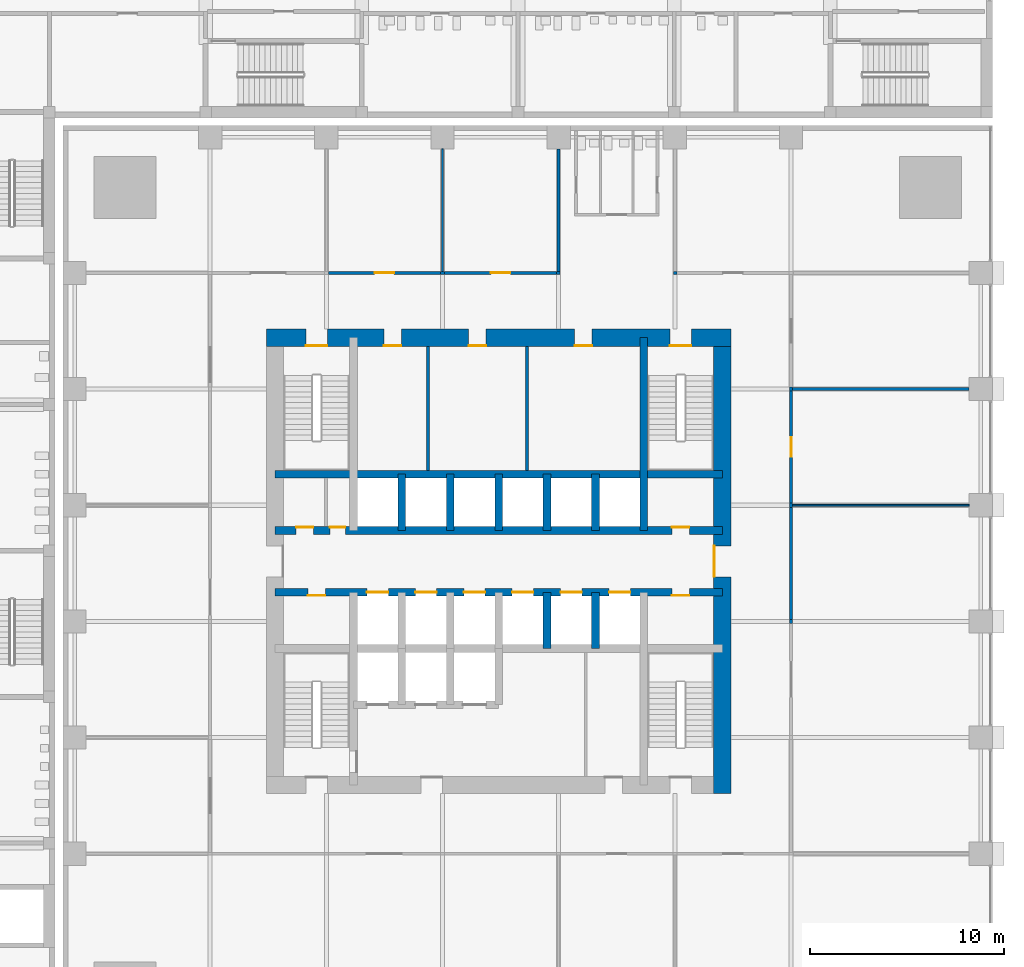
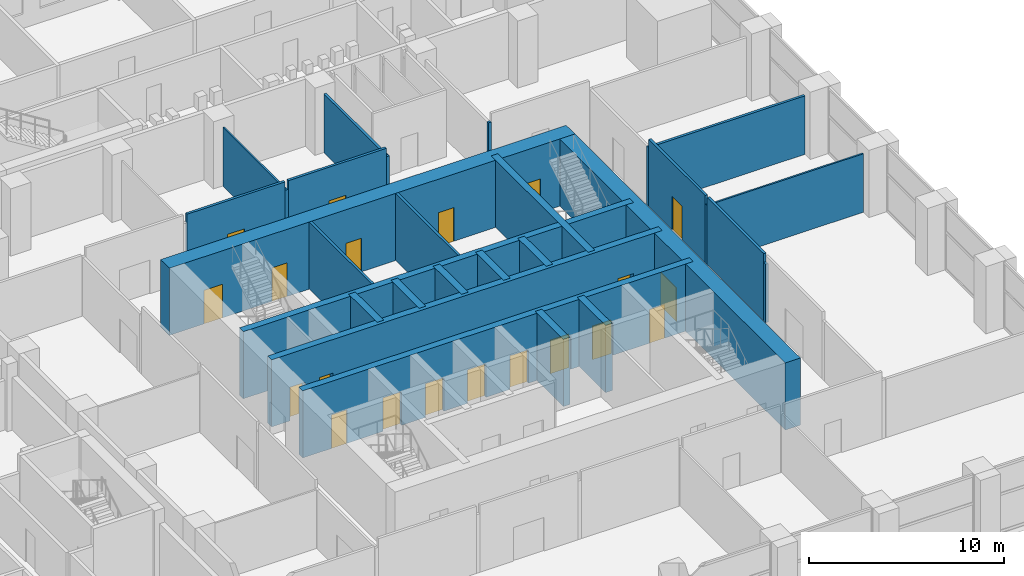
# One storey, part 14 of 25: 29 walls, 20 doors, 20 openings.
"""IFC4 building model written with IfcOpenShell, lengths in metres."""

from ifc_helpers import new_model, si_unit, direction, frame, frame_2d, origin, place, context, subcontext, project, spatial, rectangle, extrude, material, layer, layer_set, type_object, element, fill, save


model = new_model("IFC4")

# Units and contexts
model_context = context("Model", 3, precision=1e-05, world=origin(), true_north=direction((0.0, 1.0)))
body_context = subcontext(model_context, "Body", "Model", "MODEL_VIEW")
ifc_project = project(units=[si_unit("LENGTHUNIT", "METRE"), si_unit("AREAUNIT", "SQUARE_METRE"), si_unit("VOLUMEUNIT", "CUBIC_METRE"), si_unit("PLANEANGLEUNIT", "RADIAN"), si_unit("MASSUNIT", "GRAM", prefix="KILO")], contexts=[model_context])

# Site, building, storey
site_placement = place(None, origin())
site = spatial("IfcSite", under=ifc_project, at=site_placement, CompositionType="ELEMENT")
building_placement = place(site_placement, origin())
building = spatial("IfcBuilding", under=site, at=building_placement, Name="Amberfall Residences", CompositionType="ELEMENT")
storey_placement = place(building_placement, frame((0.0, 0.0, 14.5)))
storey = spatial("IfcBuildingStorey", under=building, at=storey_placement, Name="L03", CompositionType="ELEMENT", Elevation=14.5)

# Wall, openings, doors
ifc_material_1 = material(Name="Concrete C80", Category="concrete")
ifc_layer_1 = layer(ifc_material_1, 0.39990234375)
ifc_layer_set_1 = layer_set([ifc_layer_1], Name="Core wall 400 C80")
wall_type_1 = type_object("IfcWallType", Name="Core wall 400 C80", PredefinedType="SHEAR", material=ifc_layer_set_1)
wall_1_placement = place(storey_placement, frame((62.949951171875, 43.89990234375, 0.0), z_axis=(0.0, 0.0, 1.0), x_axis=(1.0, 0.0, 0.0)))
wall_1 = element("IfcWall", 1, at=wall_1_placement, inside=storey, type_object=wall_type_1, Name="Core wall RW2 L03 H104", PredefinedType="SHEAR", context=body_context, shape_type="SweptSolid", body=[
    extrude(rectangle(XDim=23.10009765625, YDim=0.39990234375, at=frame_2d((11.550048828125, 0.0))), origin(), (0.0, 0.0, 1.0), 4.199951171875),
])
opening_1_placement = place(wall_1_placement, frame((1.699951171875, 0.0, 0.0)))
opening_1 = element("IfcOpeningElement", 2, at=opening_1_placement, cuts=wall_1, Name="Opening RD1", PredefinedType="OPENING", context=body_context, shape_type="SweptSolid", body=[
    extrude(rectangle(XDim=0.89990234375, YDim=2.10009765625, at=frame_2d((0.449951171875, 1.050048828125))), frame((0.0, 0.2099609375, 0.0), z_axis=(0.0, -1.0, 0.0), x_axis=(1.0, 0.0, 0.0)), (0.0, 0.0, 1.0), 0.419921875),
])
opening_2_placement = place(wall_1_placement, frame((20.5, 0.0, 0.0)))
opening_2 = element("IfcOpeningElement", 3, at=opening_2_placement, cuts=wall_1, Name="Opening RD1", PredefinedType="OPENING", context=body_context, shape_type="SweptSolid", body=[
    extrude(rectangle(XDim=0.89990234375, YDim=2.10009765625, at=frame_2d((0.449951171875, 1.050048828125))), frame((0.0, 0.2099609375, 0.0), z_axis=(0.0, -1.0, 0.0), x_axis=(1.0, 0.0, 0.0)), (0.0, 0.0, 1.0), 0.419921875),
])
opening_3_placement = place(wall_1_placement, frame((4.75, 0.0, 0.0)))
opening_3 = element("IfcOpeningElement", 4, at=opening_3_placement, cuts=wall_1, Name="Opening LD1", PredefinedType="OPENING", context=body_context, shape_type="SweptSolid", body=[
    extrude(rectangle(XDim=1.10009765625, YDim=2.10009765625, at=frame_2d((0.550048828125, 1.050048828125))), frame((0.0, 0.2099609375, 0.0), z_axis=(0.0, -1.0, 0.0), x_axis=(1.0, 0.0, 0.0)), (0.0, 0.0, 1.0), 0.419921875),
])
opening_4_placement = place(wall_1_placement, frame((7.25, 0.0, 0.0)))
opening_4 = element("IfcOpeningElement", 5, at=opening_4_placement, cuts=wall_1, Name="Opening LD1", PredefinedType="OPENING", context=body_context, shape_type="SweptSolid", body=[
    extrude(rectangle(XDim=1.10009765625, YDim=2.10009765625, at=frame_2d((0.550048828125, 1.050048828125))), frame((0.0, 0.2099609375, 0.0), z_axis=(0.0, -1.0, 0.0), x_axis=(1.0, 0.0, 0.0)), (0.0, 0.0, 1.0), 0.419921875),
])
opening_5_placement = place(wall_1_placement, frame((9.75, 0.0, 0.0)))
opening_5 = element("IfcOpeningElement", 6, at=opening_5_placement, cuts=wall_1, Name="Opening LD1", PredefinedType="OPENING", context=body_context, shape_type="SweptSolid", body=[
    extrude(rectangle(XDim=1.10009765625, YDim=2.10009765625, at=frame_2d((0.550048828125, 1.050048828125))), frame((0.0, 0.2099609375, 0.0), z_axis=(0.0, -1.0, 0.0), x_axis=(1.0, 0.0, 0.0)), (0.0, 0.0, 1.0), 0.419921875),
])
opening_6_placement = place(wall_1_placement, frame((12.25, 0.0, 0.0)))
opening_6 = element("IfcOpeningElement", 7, at=opening_6_placement, cuts=wall_1, Name="Opening LD1", PredefinedType="OPENING", context=body_context, shape_type="SweptSolid", body=[
    extrude(rectangle(XDim=1.10009765625, YDim=2.10009765625, at=frame_2d((0.550048828125, 1.050048828125))), frame((0.0, 0.2099609375, 0.0), z_axis=(0.0, -1.0, 0.0), x_axis=(1.0, 0.0, 0.0)), (0.0, 0.0, 1.0), 0.419921875),
])
opening_7_placement = place(wall_1_placement, frame((14.75, 0.0, 0.0)))
opening_7 = element("IfcOpeningElement", 8, at=opening_7_placement, cuts=wall_1, Name="Opening LD1", PredefinedType="OPENING", context=body_context, shape_type="SweptSolid", body=[
    extrude(rectangle(XDim=1.10009765625, YDim=2.10009765625, at=frame_2d((0.550048828125, 1.050048828125))), frame((0.0, 0.2099609375, 0.0), z_axis=(0.0, -1.0, 0.0), x_axis=(1.0, 0.0, 0.0)), (0.0, 0.0, 1.0), 0.419921875),
])
opening_8_placement = place(wall_1_placement, frame((17.25, 0.0, 0.0)))
opening_8 = element("IfcOpeningElement", 9, at=opening_8_placement, cuts=wall_1, Name="Opening LD1", PredefinedType="OPENING", context=body_context, shape_type="SweptSolid", body=[
    extrude(rectangle(XDim=1.10009765625, YDim=2.10009765625, at=frame_2d((0.550048828125, 1.050048828125))), frame((0.0, 0.2099609375, 0.0), z_axis=(0.0, -1.0, 0.0), x_axis=(1.0, 0.0, 0.0)), (0.0, 0.0, 1.0), 0.419921875),
])
ifc_material_2 = material(Name="Steel fire door set", Category="steel")
door_type_1 = type_object("IfcDoorType", Name="Lift landing door 1100 x 2100", OperationType="DOUBLE_DOOR_SLIDING", PredefinedType="DOOR", material=ifc_material_2)
door_1_placement = place(opening_3_placement, origin())
door_1 = element("IfcDoor", 10, at=door_1_placement, inside=storey, type_object=door_type_1, Name="Landing door LP1 L03", OperationType="DOUBLE_DOOR_SLIDING", OverallHeight=2.10009765625, OverallWidth=1.10009765625, PredefinedType="DOOR", context=body_context, shape_type="SweptSolid", body=[
    extrude(rectangle(XDim=1.10009765625, YDim=2.10009765625, at=frame_2d((0.550048828125, 1.050048828125))), frame((0.0, 0.02490234375, 0.0), z_axis=(0.0, -1.0, 0.0), x_axis=(1.0, 0.0, 0.0)), (0.0, 0.0, 1.0), 0.050048828125),
])
fill(opening_3, door_1)
door_2_placement = place(opening_4_placement, origin())
door_2 = element("IfcDoor", 11, at=door_2_placement, inside=storey, type_object=door_type_1, Name="Landing door LP2 L03", OperationType="DOUBLE_DOOR_SLIDING", OverallHeight=2.10009765625, OverallWidth=1.10009765625, PredefinedType="DOOR", context=body_context, shape_type="SweptSolid", body=[
    extrude(rectangle(XDim=1.10009765625, YDim=2.10009765625, at=frame_2d((0.550048828125, 1.050048828125))), frame((0.0, 0.02490234375, 0.0), z_axis=(0.0, -1.0, 0.0), x_axis=(1.0, 0.0, 0.0)), (0.0, 0.0, 1.0), 0.050048828125),
])
fill(opening_4, door_2)
door_3_placement = place(opening_5_placement, origin())
door_3 = element("IfcDoor", 12, at=door_3_placement, inside=storey, type_object=door_type_1, Name="Landing door LP3 L03", OperationType="DOUBLE_DOOR_SLIDING", OverallHeight=2.10009765625, OverallWidth=1.10009765625, PredefinedType="DOOR", context=body_context, shape_type="SweptSolid", body=[
    extrude(rectangle(XDim=1.10009765625, YDim=2.10009765625, at=frame_2d((0.550048828125, 1.050048828125))), frame((0.0, 0.02490234375, 0.0), z_axis=(0.0, -1.0, 0.0), x_axis=(1.0, 0.0, 0.0)), (0.0, 0.0, 1.0), 0.050048828125),
])
fill(opening_5, door_3)
door_4_placement = place(opening_6_placement, origin())
door_4 = element("IfcDoor", 13, at=door_4_placement, inside=storey, type_object=door_type_1, Name="Landing door LP4 L03", OperationType="DOUBLE_DOOR_SLIDING", OverallHeight=2.10009765625, OverallWidth=1.10009765625, PredefinedType="DOOR", context=body_context, shape_type="SweptSolid", body=[
    extrude(rectangle(XDim=1.10009765625, YDim=2.10009765625, at=frame_2d((0.550048828125, 1.050048828125))), frame((0.0, 0.02490234375, 0.0), z_axis=(0.0, -1.0, 0.0), x_axis=(1.0, 0.0, 0.0)), (0.0, 0.0, 1.0), 0.050048828125),
])
fill(opening_6, door_4)
door_5_placement = place(opening_7_placement, origin())
door_5 = element("IfcDoor", 14, at=door_5_placement, inside=storey, type_object=door_type_1, Name="Landing door LP5 L03", OperationType="DOUBLE_DOOR_SLIDING", OverallHeight=2.10009765625, OverallWidth=1.10009765625, PredefinedType="DOOR", context=body_context, shape_type="SweptSolid", body=[
    extrude(rectangle(XDim=1.10009765625, YDim=2.10009765625, at=frame_2d((0.550048828125, 1.050048828125))), frame((0.0, 0.02490234375, 0.0), z_axis=(0.0, -1.0, 0.0), x_axis=(1.0, 0.0, 0.0)), (0.0, 0.0, 1.0), 0.050048828125),
])
fill(opening_7, door_5)
door_6_placement = place(opening_8_placement, origin())
door_6 = element("IfcDoor", 15, at=door_6_placement, inside=storey, type_object=door_type_1, Name="Landing door LP6 L03", OperationType="DOUBLE_DOOR_SLIDING", OverallHeight=2.10009765625, OverallWidth=1.10009765625, PredefinedType="DOOR", context=body_context, shape_type="SweptSolid", body=[
    extrude(rectangle(XDim=1.10009765625, YDim=2.10009765625, at=frame_2d((0.550048828125, 1.050048828125))), frame((0.0, 0.02490234375, 0.0), z_axis=(0.0, -1.0, 0.0), x_axis=(1.0, 0.0, 0.0)), (0.0, 0.0, 1.0), 0.050048828125),
])
fill(opening_8, door_6)
door_type_2 = type_object("IfcDoorType", Name="Service room door 900 x 2100", OperationType="SINGLE_SWING_LEFT", PredefinedType="DOOR", material=ifc_material_2)
door_7_placement = place(opening_1_placement, origin())
door_7 = element("IfcDoor", 16, at=door_7_placement, inside=storey, type_object=door_type_2, Name="RD1 L03", OperationType="SINGLE_SWING_LEFT", OverallHeight=2.10009765625, OverallWidth=0.89990234375, PredefinedType="DOOR", context=body_context, shape_type="SweptSolid", body=[
    extrude(rectangle(XDim=0.89990234375, YDim=2.10009765625, at=frame_2d((0.449951171875, 1.050048828125))), frame((0.0, -0.1376953125, 0.0), z_axis=(0.0, -1.0, 0.0), x_axis=(1.0, 0.0, 0.0)), (0.0, 0.0, 1.0), 0.050048828125),
])
fill(opening_1, door_7)
door_8_placement = place(opening_2_placement, origin())
door_8 = element("IfcDoor", 17, at=door_8_placement, inside=storey, type_object=door_type_2, Name="RD1 L03", OperationType="SINGLE_SWING_LEFT", OverallHeight=2.10009765625, OverallWidth=0.89990234375, PredefinedType="DOOR", context=body_context, shape_type="SweptSolid", body=[
    extrude(rectangle(XDim=0.89990234375, YDim=2.10009765625, at=frame_2d((0.449951171875, 1.050048828125))), frame((0.0, -0.1376953125, 0.0), z_axis=(0.0, -1.0, 0.0), x_axis=(1.0, 0.0, 0.0)), (0.0, 0.0, 1.0), 0.050048828125),
])
fill(opening_2, door_8)

wall_2_placement = place(storey_placement, frame((62.949951171875, 47.10009765625, 0.0), z_axis=(0.0, 0.0, 1.0), x_axis=(1.0, 0.0, 0.0)))
wall_2 = element("IfcWall", 18, at=wall_2_placement, inside=storey, type_object=wall_type_1, Name="Core wall RW2 L03 H136", PredefinedType="SHEAR", context=body_context, shape_type="SweptSolid", body=[
    extrude(rectangle(XDim=23.10009765625, YDim=0.39990234375, at=frame_2d((11.550048828125, 0.0))), origin(), (0.0, 0.0, 1.0), 4.199951171875),
])
opening_9_placement = place(wall_2_placement, frame((1.087890625, 0.0, 0.0)))
opening_9 = element("IfcOpeningElement", 19, at=opening_9_placement, cuts=wall_2, Name="Opening RD1", PredefinedType="OPENING", context=body_context, shape_type="SweptSolid", body=[
    extrude(rectangle(XDim=0.89990234375, YDim=2.10009765625, at=frame_2d((0.449951171875, 1.050048828125))), frame((0.0, 0.2099609375, 0.0), z_axis=(0.0, -1.0, 0.0), x_axis=(1.0, 0.0, 0.0)), (0.0, 0.0, 1.0), 0.419921875),
])
opening_10_placement = place(wall_2_placement, frame((2.837890625, 0.0, 0.0)))
opening_10 = element("IfcOpeningElement", 20, at=opening_10_placement, cuts=wall_2, Name="Opening RD2", PredefinedType="OPENING", context=body_context, shape_type="SweptSolid", body=[
    extrude(rectangle(XDim=0.800048828125, YDim=2.10009765625, at=frame_2d((0.39990234375, 1.050048828125))), frame((0.0, 0.2099609375, 0.0), z_axis=(0.0, -1.0, 0.0), x_axis=(1.0, 0.0, 0.0)), (0.0, 0.0, 1.0), 0.419921875),
])
opening_11_placement = place(wall_2_placement, frame((20.5, 0.0, 0.0)))
opening_11 = element("IfcOpeningElement", 21, at=opening_11_placement, cuts=wall_2, Name="Opening RD1", PredefinedType="OPENING", context=body_context, shape_type="SweptSolid", body=[
    extrude(rectangle(XDim=0.89990234375, YDim=2.10009765625, at=frame_2d((0.449951171875, 1.050048828125))), frame((0.0, 0.2099609375, 0.0), z_axis=(0.0, -1.0, 0.0), x_axis=(1.0, 0.0, 0.0)), (0.0, 0.0, 1.0), 0.419921875),
])
door_type_3 = type_object("IfcDoorType", Name="Service room door 800 x 2100", OperationType="SINGLE_SWING_LEFT", PredefinedType="DOOR", material=ifc_material_2)
door_9_placement = place(opening_10_placement, origin())
door_9 = element("IfcDoor", 22, at=door_9_placement, inside=storey, type_object=door_type_3, Name="RD2 L03", OperationType="SINGLE_SWING_RIGHT", OverallHeight=2.10009765625, OverallWidth=0.800048828125, PredefinedType="DOOR", context=body_context, shape_type="SweptSolid", body=[
    extrude(rectangle(XDim=0.800048828125, YDim=2.10009765625, at=frame_2d((0.39990234375, 1.050048828125))), frame((0.0, 0.1875, 0.0), z_axis=(0.0, -1.0, 0.0), x_axis=(1.0, 0.0, 0.0)), (0.0, 0.0, 1.0), 0.050048828125),
])
fill(opening_10, door_9)
door_10_placement = place(opening_9_placement, origin())
door_10 = element("IfcDoor", 23, at=door_10_placement, inside=storey, type_object=door_type_2, Name="RD1 L03", OperationType="SINGLE_SWING_LEFT", OverallHeight=2.10009765625, OverallWidth=0.89990234375, PredefinedType="DOOR", context=body_context, shape_type="SweptSolid", body=[
    extrude(rectangle(XDim=0.89990234375, YDim=2.10009765625, at=frame_2d((0.449951171875, 1.050048828125))), frame((0.0, 0.1875, 0.0), z_axis=(0.0, -1.0, 0.0), x_axis=(1.0, 0.0, 0.0)), (0.0, 0.0, 1.0), 0.050048828125),
])
fill(opening_9, door_10)
door_11_placement = place(opening_11_placement, origin())
door_11 = element("IfcDoor", 24, at=door_11_placement, inside=storey, type_object=door_type_2, Name="RD1 L03", OperationType="SINGLE_SWING_LEFT", OverallHeight=2.10009765625, OverallWidth=0.89990234375, PredefinedType="DOOR", context=body_context, shape_type="SweptSolid", body=[
    extrude(rectangle(XDim=0.89990234375, YDim=2.10009765625, at=frame_2d((0.449951171875, 1.050048828125))), frame((0.0, 0.1875, 0.0), z_axis=(0.0, -1.0, 0.0), x_axis=(1.0, 0.0, 0.0)), (0.0, 0.0, 1.0), 0.050048828125),
])
fill(opening_11, door_11)

# Walls
wall_3_placement = place(storey_placement, frame((62.949951171875, 50.0, 0.0), z_axis=(0.0, 0.0, 1.0), x_axis=(1.0, 0.0, 0.0)))
element("IfcWall", 25, at=wall_3_placement, inside=storey, type_object=wall_type_1, Name="Core wall RW2 L03 H165", PredefinedType="SHEAR", context=body_context, shape_type="SweptSolid", body=[
    extrude(rectangle(XDim=23.10009765625, YDim=0.39990234375, at=frame_2d((11.550048828125, 0.0))), origin(), (0.0, 0.0, 1.0), 4.199951171875),
])
wall_4_placement = place(storey_placement, frame((82.0, 47.10009765625, 0.0), z_axis=(0.0, 0.0, 1.0), x_axis=(0.0, 1.0, 0.0)))
element("IfcWall", 26, at=wall_4_placement, inside=storey, type_object=wall_type_1, Name="Core wall RW2 L03 V195N", PredefinedType="SHEAR", context=body_context, shape_type="SweptSolid", body=[
    extrude(rectangle(XDim=9.949951171875, YDim=0.39990234375, at=frame_2d((4.97509765625, 0.0))), origin(), (0.0, 0.0, 1.0), 4.199951171875),
])
for number, where, z_axis, x_axis, name in (
    (27, (69.5, 47.10009765625, 0.0), (0.0, 0.0, 1.0), (0.0, 1.0, 0.0), "Core wall RW2 L03 HPD1"),
    (28, (72.0, 47.10009765625, 0.0), (0.0, 0.0, 1.0), (0.0, 1.0, 0.0), "Core wall RW2 L03 HPD2"),
    (29, (74.5, 47.10009765625, 0.0), (0.0, 0.0, 1.0), (0.0, 1.0, 0.0), "Core wall RW2 L03 HPD3"),
    (30, (77.0, 41.0, 0.0), (0.0, 0.0, 1.0), (0.0, 1.0, 0.0), "Core wall RW2 L03 LPD4"),
    (31, (77.0, 47.10009765625, 0.0), (0.0, 0.0, 1.0), (0.0, 1.0, 0.0), "Core wall RW2 L03 HPD4"),
    (32, (79.5, 41.0, 0.0), (0.0, 0.0, 1.0), (0.0, 1.0, 0.0), "Core wall RW2 L03 LPD5"),
    (33, (79.5, 47.10009765625, 0.0), (0.0, 0.0, 1.0), (0.0, 1.0, 0.0), "Core wall RW2 L03 HPD5"),
):
    element("IfcWall", number, at=place(storey_placement, frame(where, z_axis=z_axis, x_axis=x_axis)), inside=storey, type_object=wall_type_1, Name=name, PredefinedType="SHEAR", context=body_context, shape_type="SweptSolid", body=[
        extrude(rectangle(XDim=2.89990234375, YDim=0.39990234375, at=frame_2d((1.449951171875, 0.0))), origin(), (0.0, 0.0, 1.0), 4.199951171875),
    ])

# Wall, openings, doors
ifc_layer_2 = layer(ifc_material_1, 0.89990234375)
ifc_layer_set_2 = layer_set([ifc_layer_2], Name="Core wall 900 C80")
wall_type_2 = type_object("IfcWallType", Name="Core wall 900 C80", PredefinedType="SHEAR", material=ifc_layer_set_2)
wall_5_placement = place(storey_placement, frame((62.5, 57.050048828125, 0.0), z_axis=(0.0, 0.0, 1.0), x_axis=(1.0, 0.0, 0.0)))
wall_5 = element("IfcWall", 34, at=wall_5_placement, inside=storey, type_object=wall_type_2, Name="Core wall RW1 L03 ON", PredefinedType="SHEAR", context=body_context, shape_type="SweptSolid", body=[
    extrude(rectangle(XDim=24.0, YDim=0.89990234375, at=frame_2d((12.0, 0.0))), origin(), (0.0, 0.0, 1.0), 4.199951171875),
])
opening_12_placement = place(wall_5_placement, frame((20.85009765625, 0.0, 0.0)))
opening_12 = element("IfcOpeningElement", 35, at=opening_12_placement, cuts=wall_5, Name="Opening SD1", PredefinedType="OPENING", context=body_context, shape_type="SweptSolid", body=[
    extrude(rectangle(XDim=1.10009765625, YDim=2.10009765625, at=frame_2d((0.550048828125, 1.050048828125))), frame((0.0, 0.4599609375, 0.0), z_axis=(0.0, -1.0, 0.0), x_axis=(1.0, 0.0, 0.0)), (0.0, 0.0, 1.0), 0.919921875),
])
opening_13_placement = place(wall_5_placement, frame((2.050048828125, 0.0, 0.0)))
opening_13 = element("IfcOpeningElement", 36, at=opening_13_placement, cuts=wall_5, Name="Opening SD1", PredefinedType="OPENING", context=body_context, shape_type="SweptSolid", body=[
    extrude(rectangle(XDim=1.10009765625, YDim=2.10009765625, at=frame_2d((0.550048828125, 1.050048828125))), frame((0.0, 0.4599609375, 0.0), z_axis=(0.0, -1.0, 0.0), x_axis=(1.0, 0.0, 0.0)), (0.0, 0.0, 1.0), 0.919921875),
])
opening_14_placement = place(wall_5_placement, frame((6.074951171875, 0.0, 0.0)))
opening_14 = element("IfcOpeningElement", 37, at=opening_14_placement, cuts=wall_5, Name="Opening RD1", PredefinedType="OPENING", context=body_context, shape_type="SweptSolid", body=[
    extrude(rectangle(XDim=0.89990234375, YDim=2.10009765625, at=frame_2d((0.449951171875, 1.050048828125))), frame((0.0, 0.4599609375, 0.0), z_axis=(0.0, -1.0, 0.0), x_axis=(1.0, 0.0, 0.0)), (0.0, 0.0, 1.0), 0.919921875),
])
opening_15_placement = place(wall_5_placement, frame((10.455078125, 0.0, 0.0)))
opening_15 = element("IfcOpeningElement", 38, at=opening_15_placement, cuts=wall_5, Name="Opening RD1", PredefinedType="OPENING", context=body_context, shape_type="SweptSolid", body=[
    extrude(rectangle(XDim=0.89990234375, YDim=2.10009765625, at=frame_2d((0.449951171875, 1.050048828125))), frame((0.0, 0.4599609375, 0.0), z_axis=(0.0, -1.0, 0.0), x_axis=(1.0, 0.0, 0.0)), (0.0, 0.0, 1.0), 0.919921875),
])
opening_16_placement = place(wall_5_placement, frame((15.929931640625, 0.0, 0.0)))
opening_16 = element("IfcOpeningElement", 39, at=opening_16_placement, cuts=wall_5, Name="Opening RD1", PredefinedType="OPENING", context=body_context, shape_type="SweptSolid", body=[
    extrude(rectangle(XDim=0.89990234375, YDim=2.10009765625, at=frame_2d((0.449951171875, 1.050048828125))), frame((0.0, 0.4599609375, 0.0), z_axis=(0.0, -1.0, 0.0), x_axis=(1.0, 0.0, 0.0)), (0.0, 0.0, 1.0), 0.919921875),
])
door_12_placement = place(opening_14_placement, origin())
door_12 = element("IfcDoor", 40, at=door_12_placement, inside=storey, type_object=door_type_2, Name="RD1 L03", OperationType="SINGLE_SWING_RIGHT", OverallHeight=2.10009765625, OverallWidth=0.89990234375, PredefinedType="DOOR", context=body_context, shape_type="SweptSolid", body=[
    extrude(rectangle(XDim=0.89990234375, YDim=2.10009765625, at=frame_2d((0.449951171875, 1.050048828125))), frame((0.0, -0.3876953125, 0.0), z_axis=(0.0, -1.0, 0.0), x_axis=(1.0, 0.0, 0.0)), (0.0, 0.0, 1.0), 0.050048828125),
])
fill(opening_14, door_12)
door_13_placement = place(opening_15_placement, origin())
door_13 = element("IfcDoor", 41, at=door_13_placement, inside=storey, type_object=door_type_2, Name="RD1 L03", OperationType="SINGLE_SWING_RIGHT", OverallHeight=2.10009765625, OverallWidth=0.89990234375, PredefinedType="DOOR", context=body_context, shape_type="SweptSolid", body=[
    extrude(rectangle(XDim=0.89990234375, YDim=2.10009765625, at=frame_2d((0.449951171875, 1.050048828125))), frame((0.0, -0.3876953125, 0.0), z_axis=(0.0, -1.0, 0.0), x_axis=(1.0, 0.0, 0.0)), (0.0, 0.0, 1.0), 0.050048828125),
])
fill(opening_15, door_13)
door_14_placement = place(opening_16_placement, origin())
door_14 = element("IfcDoor", 42, at=door_14_placement, inside=storey, type_object=door_type_2, Name="RD1 L03", OperationType="SINGLE_SWING_RIGHT", OverallHeight=2.10009765625, OverallWidth=0.89990234375, PredefinedType="DOOR", context=body_context, shape_type="SweptSolid", body=[
    extrude(rectangle(XDim=0.89990234375, YDim=2.10009765625, at=frame_2d((0.449951171875, 1.050048828125))), frame((0.0, -0.3876953125, 0.0), z_axis=(0.0, -1.0, 0.0), x_axis=(1.0, 0.0, 0.0)), (0.0, 0.0, 1.0), 0.050048828125),
])
fill(opening_16, door_14)
door_type_4 = type_object("IfcDoorType", Name="Stair door 1100 x 2100", OperationType="SINGLE_SWING_LEFT", PredefinedType="DOOR", material=ifc_material_2)
door_15_placement = place(opening_12_placement, origin())
door_15 = element("IfcDoor", 43, at=door_15_placement, inside=storey, type_object=door_type_4, Name="SD1 L03", OperationType="SINGLE_SWING_RIGHT", OverallHeight=2.10009765625, OverallWidth=1.10009765625, PredefinedType="DOOR", context=body_context, shape_type="SweptSolid", body=[
    extrude(rectangle(XDim=1.10009765625, YDim=2.10009765625, at=frame_2d((0.550048828125, 1.050048828125))), frame((0.0, -0.3876953125, 0.0), z_axis=(0.0, -1.0, 0.0), x_axis=(1.0, 0.0, 0.0)), (0.0, 0.0, 1.0), 0.050048828125),
])
fill(opening_12, door_15)
door_16_placement = place(opening_13_placement, origin())
door_16 = element("IfcDoor", 44, at=door_16_placement, inside=storey, type_object=door_type_4, Name="SD1 L03", OperationType="SINGLE_SWING_LEFT", OverallHeight=2.10009765625, OverallWidth=1.10009765625, PredefinedType="DOOR", context=body_context, shape_type="SweptSolid", body=[
    extrude(rectangle(XDim=1.10009765625, YDim=2.10009765625, at=frame_2d((0.550048828125, 1.050048828125))), frame((0.0, -0.3876953125, 0.0), z_axis=(0.0, -1.0, 0.0), x_axis=(1.0, 0.0, 0.0)), (0.0, 0.0, 1.0), 0.050048828125),
])
fill(opening_13, door_16)

# Wall, opening, door
wall_6_placement = place(storey_placement, frame((86.050048828125, 33.5, 0.0), z_axis=(0.0, 0.0, 1.0), x_axis=(0.0, 1.0, 0.0)))
wall_6 = element("IfcWall", 45, at=wall_6_placement, inside=storey, type_object=wall_type_2, Name="Core wall RW1 L03 OE", PredefinedType="SHEAR", context=body_context, shape_type="SweptSolid", body=[
    extrude(rectangle(XDim=24.0, YDim=0.89990234375, at=frame_2d((12.0, 0.0))), origin(), (0.0, 0.0, 1.0), 4.199951171875),
])
opening_17_placement = place(wall_6_placement, frame((11.199951171875, 0.0, 0.0)))
opening_17 = element("IfcOpeningElement", 46, at=opening_17_placement, cuts=wall_6, Name="Opening LB1", PredefinedType="OPENING", context=body_context, shape_type="SweptSolid", body=[
    extrude(rectangle(XDim=1.60009765625, YDim=2.10009765625, at=frame_2d((0.800048828125, 1.050048828125))), frame((0.0, 0.4599609375, 0.0), z_axis=(0.0, -1.0, 0.0), x_axis=(1.0, 0.0, 0.0)), (0.0, 0.0, 1.0), 0.919921875),
])
door_type_5 = type_object("IfcDoorType", Name="Lift lobby double door 1600 x 2100", OperationType="DOUBLE_DOOR_SINGLE_SWING", PredefinedType="DOOR", material=ifc_material_2)
door_17_placement = place(opening_17_placement, origin())
door_17 = element("IfcDoor", 47, at=door_17_placement, inside=storey, type_object=door_type_5, Name="LB1 L03", OperationType="DOUBLE_DOOR_SINGLE_SWING", OverallHeight=2.10009765625, OverallWidth=1.60009765625, PredefinedType="DOOR", context=body_context, shape_type="SweptSolid", body=[
    extrude(rectangle(XDim=1.60009765625, YDim=2.10009765625, at=frame_2d((0.800048828125, 1.050048828125))), frame((0.0, 0.4375, 0.0), z_axis=(0.0, -1.0, 0.0), x_axis=(1.0, 0.0, 0.0)), (0.0, 0.0, 1.0), 0.050048828125),
])
fill(opening_17, door_17)

# Walls
ifc_material_3 = material(Name="Gypsum board on steel studs", Category="steel")
ifc_layer_3 = layer(ifc_material_3, 0.10009765625)
ifc_layer_set_3 = layer_set([ifc_layer_3], Name="Partition 100")
wall_type_3 = type_object("IfcWallType", Name="Partition 100", PredefinedType="PARTITIONING", material=ifc_layer_set_3)
wall_7_placement = place(storey_placement, frame((89.675048828125, 48.39990234375, 0.0), z_axis=(0.0, 0.0, 1.0), x_axis=(1.0, 0.0, 0.0)))
element("IfcWall", 48, at=wall_7_placement, inside=storey, type_object=wall_type_3, Name="Partition 100 L03 003", PredefinedType="PARTITIONING", context=body_context, shape_type="SweptSolid", body=[
    extrude(rectangle(XDim=9.125, YDim=0.10009765625, at=frame_2d((4.5625, 0.0))), origin(), (0.0, 0.0, 1.0), 3.660888671875),
])
wall_8_placement = place(storey_placement, frame((71.60009765625, 60.47509765625, 0.0), z_axis=(0.0, 0.0, 1.0), x_axis=(0.0, 1.0, 0.0)))
element("IfcWall", 49, at=wall_8_placement, inside=storey, type_object=wall_type_3, Name="Partition 100 L03 005", PredefinedType="PARTITIONING", context=body_context, shape_type="SweptSolid", body=[
    extrude(rectangle(XDim=6.324951171875, YDim=0.10009765625, at=frame_2d((3.16259765625, 0.0))), origin(), (0.0, 0.0, 1.0), 3.6669921875),
])
ifc_material_4 = material(Name="Fire-rated gypsum board on steel studs", Category="steel")
ifc_layer_4 = layer(ifc_material_4, 0.14990234375)
ifc_layer_set_4 = layer_set([ifc_layer_4], Name="Partition 150 fire-rated")
wall_type_4 = type_object("IfcWallType", Name="Partition 150 fire-rated", PredefinedType="PARTITIONING", material=ifc_layer_set_4)
wall_9_placement = place(storey_placement, frame((89.675048828125, 54.39990234375, 0.0), z_axis=(0.0, 0.0, 1.0), x_axis=(1.0, 0.0, 0.0)))
element("IfcWall", 50, at=wall_9_placement, inside=storey, type_object=wall_type_4, Name="Partition 150 fire-rated L03 014", PredefinedType="PARTITIONING", context=body_context, shape_type="SweptSolid", body=[
    extrude(rectangle(XDim=9.125, YDim=0.14990234375, at=frame_2d((4.5625, 0.0))), origin(), (0.0, 0.0, 1.0), 3.660888671875),
])

# Wall, opening, door
wall_10_placement = place(storey_placement, frame((65.70458984375, 60.39990234375, 0.0), z_axis=(0.0, 0.0, 1.0), x_axis=(1.0, 0.0, 0.0)))
wall_10 = element("IfcWall", 51, at=wall_10_placement, inside=storey, type_object=wall_type_4, Name="Partition 150 fire-rated L03 019", PredefinedType="PARTITIONING", context=body_context, shape_type="SweptSolid", body=[
    extrude(rectangle(XDim=5.790771484375, YDim=0.14990234375, at=frame_2d((2.8955078125, 0.0))), origin(), (0.0, 0.0, 1.0), 4.199951171875),
])
opening_18_placement = place(wall_10_placement, frame((2.395263671875, 0.0, 0.0)))
opening_18 = element("IfcOpeningElement", 52, at=opening_18_placement, cuts=wall_10, Name="Opening D2", PredefinedType="OPENING", context=body_context, shape_type="SweptSolid", body=[
    extrude(rectangle(XDim=1.0, YDim=2.10009765625, at=frame_2d((0.5, 1.050048828125))), frame((0.0, 0.0849609375, 0.0), z_axis=(0.0, -1.0, 0.0), x_axis=(1.0, 0.0, 0.0)), (0.0, 0.0, 1.0), 0.169921875),
])
ifc_material_5 = material(Name="Steel fire door leaf", Category="steel")
door_type_6 = type_object("IfcDoorType", Name="Fire door 1000x2100 FD30S", OperationType="SINGLE_SWING_LEFT", PredefinedType="DOOR", material=ifc_material_5)
door_18_placement = place(opening_18_placement, origin())
door_18 = element("IfcDoor", 53, at=door_18_placement, inside=storey, type_object=door_type_6, Name="Door Meeting room", OperationType="SINGLE_SWING_LEFT", OverallHeight=2.10009765625, OverallWidth=1.0, PredefinedType="DOOR", context=body_context, shape_type="SweptSolid", body=[
    extrude(rectangle(XDim=1.0, YDim=2.10009765625, at=frame_2d((0.5, 1.050048828125))), frame((0.0, 0.02490234375, 0.0), z_axis=(0.0, -1.0, 0.0), x_axis=(1.0, 0.0, 0.0)), (0.0, 0.0, 1.0), 0.050048828125),
])
fill(opening_18, door_18)

# Wall
wall_11_placement = place(storey_placement, frame((71.495361328125, 60.39990234375, 0.0), z_axis=(0.0, 0.0, 1.0), x_axis=(1.0, 0.0, 0.0)))
element("IfcWall", 54, at=wall_11_placement, inside=storey, type_object=wall_type_4, Name="Partition 150 fire-rated L03 020", PredefinedType="PARTITIONING", context=body_context, shape_type="SweptSolid", body=[
    extrude(rectangle(XDim=0.209228515625, YDim=0.14990234375, at=frame_2d((0.1044921875, 0.0))), origin(), (0.0, 0.0, 1.0), 3.6669921875),
])

# Wall, opening, door
wall_12_placement = place(storey_placement, frame((71.70458984375, 60.39990234375, 0.0), z_axis=(0.0, 0.0, 1.0), x_axis=(1.0, 0.0, 0.0)))
wall_12 = element("IfcWall", 55, at=wall_12_placement, inside=storey, type_object=wall_type_4, Name="Partition 150 fire-rated L03 021", PredefinedType="PARTITIONING", context=body_context, shape_type="SweptSolid", body=[
    extrude(rectangle(XDim=5.790771484375, YDim=0.14990234375, at=frame_2d((2.8955078125, 0.0))), origin(), (0.0, 0.0, 1.0), 4.199951171875),
])
opening_19_placement = place(wall_12_placement, frame((2.395263671875, 0.0, 0.0)))
opening_19 = element("IfcOpeningElement", 56, at=opening_19_placement, cuts=wall_12, Name="Opening D2", PredefinedType="OPENING", context=body_context, shape_type="SweptSolid", body=[
    extrude(rectangle(XDim=1.0, YDim=2.10009765625, at=frame_2d((0.5, 1.050048828125))), frame((0.0, 0.0849609375, 0.0), z_axis=(0.0, -1.0, 0.0), x_axis=(1.0, 0.0, 0.0)), (0.0, 0.0, 1.0), 0.169921875),
])
door_19_placement = place(opening_19_placement, origin())
door_19 = element("IfcDoor", 57, at=door_19_placement, inside=storey, type_object=door_type_6, Name="Door Meeting room 2", OperationType="SINGLE_SWING_LEFT", OverallHeight=2.10009765625, OverallWidth=1.0, PredefinedType="DOOR", context=body_context, shape_type="SweptSolid", body=[
    extrude(rectangle(XDim=1.0, YDim=2.10009765625, at=frame_2d((0.5, 1.050048828125))), frame((0.0, 0.02490234375, 0.0), z_axis=(0.0, -1.0, 0.0), x_axis=(1.0, 0.0, 0.0)), (0.0, 0.0, 1.0), 0.050048828125),
])
fill(opening_19, door_19)

# Walls
for number, where, z_axis, x_axis, name in (
    (58, (77.495361328125, 60.39990234375, 0.0), (0.0, 0.0, 1.0), (1.0, 0.0, 0.0), "Partition 150 fire-rated L03 022"),
    (59, (83.52490234375, 60.39990234375, 0.0), (0.0, 0.0, 1.0), (1.0, 0.0, 0.0), "Partition 150 fire-rated L03 023"),
):
    element("IfcWall", number, at=place(storey_placement, frame(where, z_axis=z_axis, x_axis=x_axis)), inside=storey, type_object=wall_type_4, Name=name, PredefinedType="PARTITIONING", context=body_context, shape_type="SweptSolid", body=[
        extrude(rectangle(XDim=0.1796875, YDim=0.14990234375, at=frame_2d((0.08984375, 0.0))), origin(), (0.0, 0.0, 1.0), 3.6669921875),
    ])
wall_13_placement = place(storey_placement, frame((77.60009765625, 60.47509765625, 0.0), z_axis=(0.0, 0.0, 1.0), x_axis=(0.0, 1.0, 0.0)))
element("IfcWall", 60, at=wall_13_placement, inside=storey, type_object=wall_type_4, Name="Partition 150 fire-rated L03 037", PredefinedType="PARTITIONING", context=body_context, shape_type="SweptSolid", body=[
    extrude(rectangle(XDim=6.324951171875, YDim=0.14990234375, at=frame_2d((3.16259765625, 0.0))), origin(), (0.0, 0.0, 1.0), 3.6669921875),
])
wall_14_placement = place(storey_placement, frame((89.60009765625, 42.294677734375, 0.0), z_axis=(0.0, 0.0, 1.0), x_axis=(0.0, 1.0, 0.0)))
element("IfcWall", 61, at=wall_14_placement, inside=storey, type_object=wall_type_4, Name="Partition 150 fire-rated L03 048", PredefinedType="PARTITIONING", context=body_context, shape_type="SweptSolid", body=[
    extrude(rectangle(XDim=0.210693359375, YDim=0.14990234375, at=frame_2d((0.10546875, 0.0))), origin(), (0.0, 0.0, 1.0), 3.660888671875),
])
wall_15_placement = place(storey_placement, frame((89.60009765625, 42.50537109375, 0.0), z_axis=(0.0, 0.0, 1.0), x_axis=(0.0, 1.0, 0.0)))
element("IfcWall", 62, at=wall_15_placement, inside=storey, type_object=wall_type_4, Name="Partition 150 fire-rated L03 049", PredefinedType="PARTITIONING", context=body_context, shape_type="SweptSolid", body=[
    extrude(rectangle(XDim=5.789306640625, YDim=0.14990234375, at=frame_2d((2.89453125, 0.0))), origin(), (0.0, 0.0, 1.0), 4.199951171875),
])
wall_16_placement = place(storey_placement, frame((89.60009765625, 48.294677734375, 0.0), z_axis=(0.0, 0.0, 1.0), x_axis=(0.0, 1.0, 0.0)))
element("IfcWall", 63, at=wall_16_placement, inside=storey, type_object=wall_type_4, Name="Partition 150 fire-rated L03 050", PredefinedType="PARTITIONING", context=body_context, shape_type="SweptSolid", body=[
    extrude(rectangle(XDim=0.210693359375, YDim=0.14990234375, at=frame_2d((0.10546875, 0.0))), origin(), (0.0, 0.0, 1.0), 3.660888671875),
])

# Wall, opening, door
wall_17_placement = place(storey_placement, frame((89.60009765625, 48.50537109375, 0.0), z_axis=(0.0, 0.0, 1.0), x_axis=(0.0, 1.0, 0.0)))
wall_17 = element("IfcWall", 64, at=wall_17_placement, inside=storey, type_object=wall_type_4, Name="Partition 150 fire-rated L03 051", PredefinedType="PARTITIONING", context=body_context, shape_type="SweptSolid", body=[
    extrude(rectangle(XDim=5.789306640625, YDim=0.14990234375, at=frame_2d((2.89453125, 0.0))), origin(), (0.0, 0.0, 1.0), 4.199951171875),
])
opening_20_placement = place(wall_17_placement, frame((2.39453125, 0.0, 0.0)))
opening_20 = element("IfcOpeningElement", 65, at=opening_20_placement, cuts=wall_17, Name="Opening D2", PredefinedType="OPENING", context=body_context, shape_type="SweptSolid", body=[
    extrude(rectangle(XDim=1.0, YDim=2.10009765625, at=frame_2d((0.5, 1.050048828125))), frame((0.0, 0.0849609375, 0.0), z_axis=(0.0, -1.0, 0.0), x_axis=(1.0, 0.0, 0.0)), (0.0, 0.0, 1.0), 0.169921875),
])
door_20_placement = place(opening_20_placement, origin())
door_20 = element("IfcDoor", 66, at=door_20_placement, inside=storey, type_object=door_type_6, Name="Door Study room 2", OperationType="SINGLE_SWING_LEFT", OverallHeight=2.10009765625, OverallWidth=1.0, PredefinedType="DOOR", context=body_context, shape_type="SweptSolid", body=[
    extrude(rectangle(XDim=1.0, YDim=2.10009765625, at=frame_2d((0.5, 1.050048828125))), frame((0.0, 0.02490234375, 0.0), z_axis=(0.0, -1.0, 0.0), x_axis=(1.0, 0.0, 0.0)), (0.0, 0.0, 1.0), 0.050048828125),
])
fill(opening_20, door_20)

# Walls
wall_18_placement = place(storey_placement, frame((89.60009765625, 54.294677734375, 0.0), z_axis=(0.0, 0.0, 1.0), x_axis=(0.0, 1.0, 0.0)))
element("IfcWall", 67, at=wall_18_placement, inside=storey, type_object=wall_type_4, Name="Partition 150 fire-rated L03 052", PredefinedType="PARTITIONING", context=body_context, shape_type="SweptSolid", body=[
    extrude(rectangle(XDim=0.205810546875, YDim=0.14990234375, at=frame_2d((0.10302734375, 0.0))), origin(), (0.0, 0.0, 1.0), 3.660888671875),
])
ifc_material_6 = material(Name="Concrete blockwork", Category="masonry")
ifc_layer_5 = layer(ifc_material_6, 0.14990234375)
ifc_layer_set_5 = layer_set([ifc_layer_5], Name="Riser wall 150")
wall_type_5 = type_object("IfcWallType", Name="Riser wall 150", PredefinedType="PLUMBINGWALL", material=ifc_layer_set_5)
for number, where, z_axis, x_axis, name in (
    (68, (70.85009765625, 50.199951171875, 0.0), (0.0, 0.0, 1.0), (0.0, 1.0, 0.0), "L03 core wall N0"),
    (69, (75.9599609375, 50.199951171875, 0.0), (0.0, 0.0, 1.0), (0.0, 1.0, 0.0), "L03 core wall N1"),
):
    element("IfcWall", number, at=place(storey_placement, frame(where, z_axis=z_axis, x_axis=x_axis)), inside=storey, type_object=wall_type_5, Name=name, PredefinedType="PLUMBINGWALL", context=body_context, shape_type="SweptSolid", body=[
        extrude(rectangle(XDim=6.400146484375, YDim=0.14990234375, at=frame_2d((3.2001953125, 0.0))), origin(), (0.0, 0.0, 1.0), 4.199951171875),
    ])

save(model, "model.ifc")
